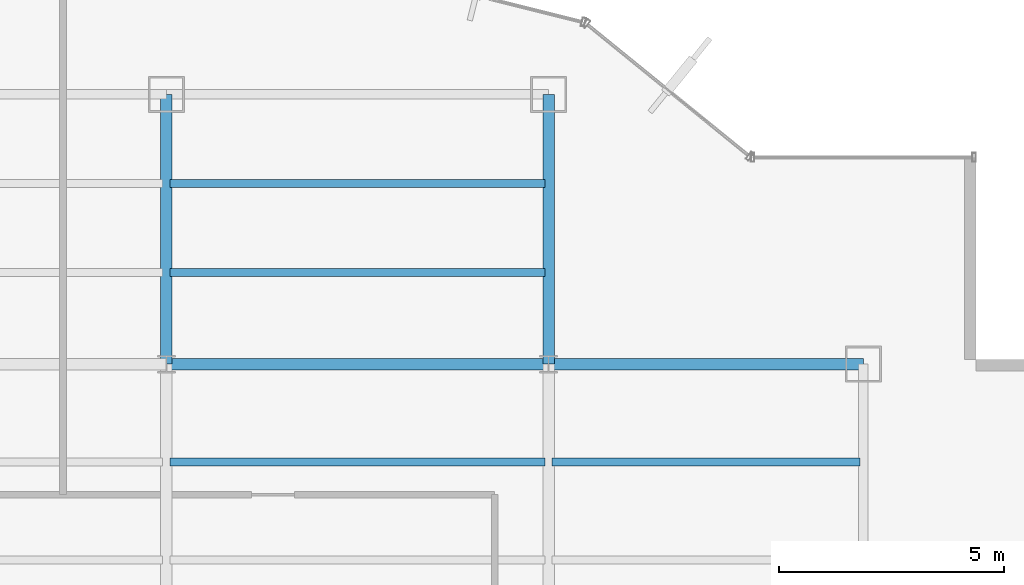
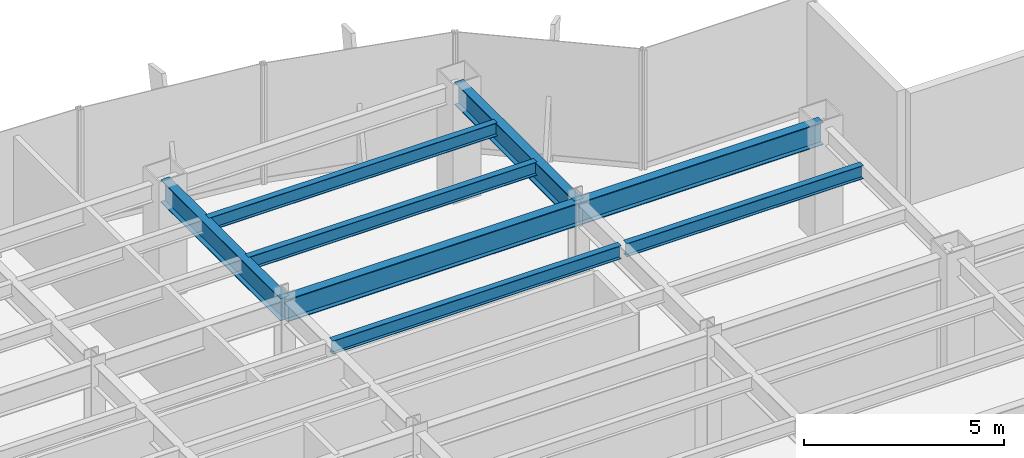
# One storey, part 17 of 26: 8 beams.
"""IFC4 building model written with IfcOpenShell, lengths in metres."""

from ifc_helpers import new_model, si_unit, derived_unit, direction, frame, origin, origin_2d, place, context, subcontext, project, spatial, i_section, extrude, source, transform, mapped, material, material_profile, profile_set, type_object, element, save


model = new_model("IFC4")

# Units and contexts
model_context = context("Model", 3, precision=1e-05, world=origin(), true_north=direction((0.0, 1.0)))
body_context = subcontext(model_context, "Body", "Model", "MODEL_VIEW")
ifc_project = project(units=[si_unit("LENGTHUNIT", "METRE"), si_unit("AREAUNIT", "SQUARE_METRE"), si_unit("VOLUMEUNIT", "CUBIC_METRE"), si_unit("PLANEANGLEUNIT", "RADIAN"), si_unit("MASSUNIT", "GRAM", prefix="KILO"), derived_unit("THERMALTRANSMITTANCEUNIT", [(si_unit("POWERUNIT", "WATT"), 1), (si_unit("LENGTHUNIT", "METRE"), -2), (si_unit("THERMODYNAMICTEMPERATUREUNIT", "KELVIN"), -1)])], contexts=[model_context])

# Site, building, storey
site_placement = place(None, origin())
site = spatial("IfcSite", under=ifc_project, at=site_placement, CompositionType="ELEMENT")
building_placement = place(site_placement, origin())
building = spatial("IfcBuilding", under=site, at=building_placement, Name="Skarnbrae Concourse Arena and Tower", CompositionType="ELEMENT")
storey_placement = place(building_placement, frame((0.0, 0.0, 92.300048828125)))
storey = spatial("IfcBuildingStorey", under=building, at=storey_placement, Name="L22", CompositionType="ELEMENT", Elevation=92.300048828125)

# Beams
ifc_material = material(Name="Steel CSA G40.21 350W", Category="steel")
ifc_material_profile_1 = material_profile(ifc_material, i_section(OverallWidth=0.256103515625, OverallDepth=0.693115234375, WebThickness=0.014404296875, FlangeThickness=0.023681640625, at=origin_2d()), Name="W690X170")
ifc_profile_set_1 = profile_set([ifc_material_profile_1], Name="Steel CSA G40.21 350W")
beam_type_1 = type_object("IfcBeamType", Name="BM-GIRD-W690X170", PredefinedType="BEAM", material=ifc_profile_set_1)
shared_shape_1 = source(origin(), body_context, "Body", "SweptSolid", [
    extrude(i_section(OverallWidth=0.256103515625, OverallDepth=0.693115234375, WebThickness=0.014404296875, FlangeThickness=0.023681640625, at=origin_2d()), origin(), (0.0, 0.0, 1.0), 7.0),
])
beam_1_placement = place(storey_placement, frame((42.0, 34.39990234375, 3.053466796875), z_axis=(1.0, 0.0, 0.0), x_axis=(0.0, 1.0, 0.0)))
element("IfcBeam", 1, at=beam_1_placement, inside=storey, type_object=beam_type_1, Name="L22 Primary E-W girder Y34.4-6", PredefinedType="BEAM", context=body_context, shape_type="MappedRepresentation", body=[
    mapped(shared_shape_1, transform((0.0, 0.0, 0.0))),
])
shared_shape_2 = source(origin(), body_context, "Body", "SweptSolid", [
    extrude(i_section(OverallWidth=0.256103515625, OverallDepth=0.693115234375, WebThickness=0.014404296875, FlangeThickness=0.023681640625, at=origin_2d()), origin(), (0.0, 0.0, 1.0), 8.5),
])
beam_2_placement = place(storey_placement, frame((33.5, 34.39990234375, 3.053466796875), z_axis=(1.0, 0.0, 0.0), x_axis=(0.0, 1.0, 0.0)))
element("IfcBeam", 2, at=beam_2_placement, inside=storey, type_object=beam_type_1, Name="L22 Primary E-W girder Y34.4-5", PredefinedType="BEAM", context=body_context, shape_type="MappedRepresentation", body=[
    mapped(shared_shape_2, transform((0.0, 0.0, 0.0))),
])
shared_shape_3 = source(origin(), body_context, "Body", "SweptSolid", [
    extrude(i_section(OverallWidth=0.256103515625, OverallDepth=0.693115234375, WebThickness=0.014404296875, FlangeThickness=0.023681640625, at=origin_2d()), origin(), (0.0, 0.0, 1.0), 6.0),
])
for number, where, z_axis, x_axis, name in (
    (3, (33.5, 34.39990234375, 3.053466796875), (0.0, 1.0, 0.0), (-1.0, 0.0, 0.0), "L22 Primary N-S girder X33.5-4"),
    (4, (42.0, 34.39990234375, 3.053466796875), (0.0, 1.0, 0.0), (-1.0, 0.0, 0.0), "L22 Primary N-S girder X42.0-5"),
):
    element("IfcBeam", number, at=place(storey_placement, frame(where, z_axis=z_axis, x_axis=x_axis)), inside=storey, type_object=beam_type_1, Name=name, PredefinedType="BEAM", context=body_context, shape_type="MappedRepresentation", body=[
        mapped(shared_shape_3, transform((0.0, 0.0, 0.0))),
    ])
ifc_material_profile_2 = material_profile(ifc_material, i_section(OverallWidth=0.177978515625, OverallDepth=0.406982421875, WebThickness=0.0078125, FlangeThickness=0.0126953125, at=origin_2d()), Name="W410X60")
ifc_profile_set_2 = profile_set([ifc_material_profile_2], Name="Steel CSA G40.21 350W")
beam_type_2 = type_object("IfcBeamType", Name="BM-JOIST-W410X60", PredefinedType="JOIST", material=ifc_profile_set_2)
shared_shape_4 = source(origin(), body_context, "Body", "SweptSolid", [
    extrude(i_section(OverallWidth=0.177978515625, OverallDepth=0.406982421875, WebThickness=0.0078125, FlangeThickness=0.0126953125, at=origin_2d()), origin(), (0.0, 0.0, 1.0), 8.33984375),
])
for number, where, z_axis, x_axis, name in (
    (5, (33.580078125, 32.221923828125, 3.196533203125), (1.0, 0.0, 0.0), (0.0, 1.0, 0.0), "L22 Secondary floor joist 3.2.5"),
    (6, (33.580078125, 36.43994140625, 3.196533203125), (1.0, 0.0, 0.0), (0.0, 1.0, 0.0), "L22 Secondary floor joist 4.1.4"),
    (7, (33.580078125, 38.419921875, 3.196533203125), (1.0, 0.0, 0.0), (0.0, 1.0, 0.0), "L22 Secondary floor joist 4.2.4"),
):
    element("IfcBeam", number, at=place(storey_placement, frame(where, z_axis=z_axis, x_axis=x_axis)), inside=storey, type_object=beam_type_2, Name=name, PredefinedType="JOIST", context=body_context, shape_type="MappedRepresentation", body=[
        mapped(shared_shape_4, transform((0.0, 0.0, 0.0))),
    ])
shared_shape_5 = source(origin(), body_context, "Body", "SweptSolid", [
    extrude(i_section(OverallWidth=0.177978515625, OverallDepth=0.406982421875, WebThickness=0.0078125, FlangeThickness=0.0126953125, at=origin_2d()), origin(), (0.0, 0.0, 1.0), 6.83984375),
])
beam_3_placement = place(storey_placement, frame((42.080078125, 32.221923828125, 3.196533203125), z_axis=(1.0, 0.0, 0.0), x_axis=(0.0, 1.0, 0.0)))
element("IfcBeam", 8, at=beam_3_placement, inside=storey, type_object=beam_type_2, Name="L22 Secondary floor joist 3.2.6", PredefinedType="JOIST", context=body_context, shape_type="MappedRepresentation", body=[
    mapped(shared_shape_5, transform((0.0, 0.0, 0.0))),
])

save(model, "model.ifc")
